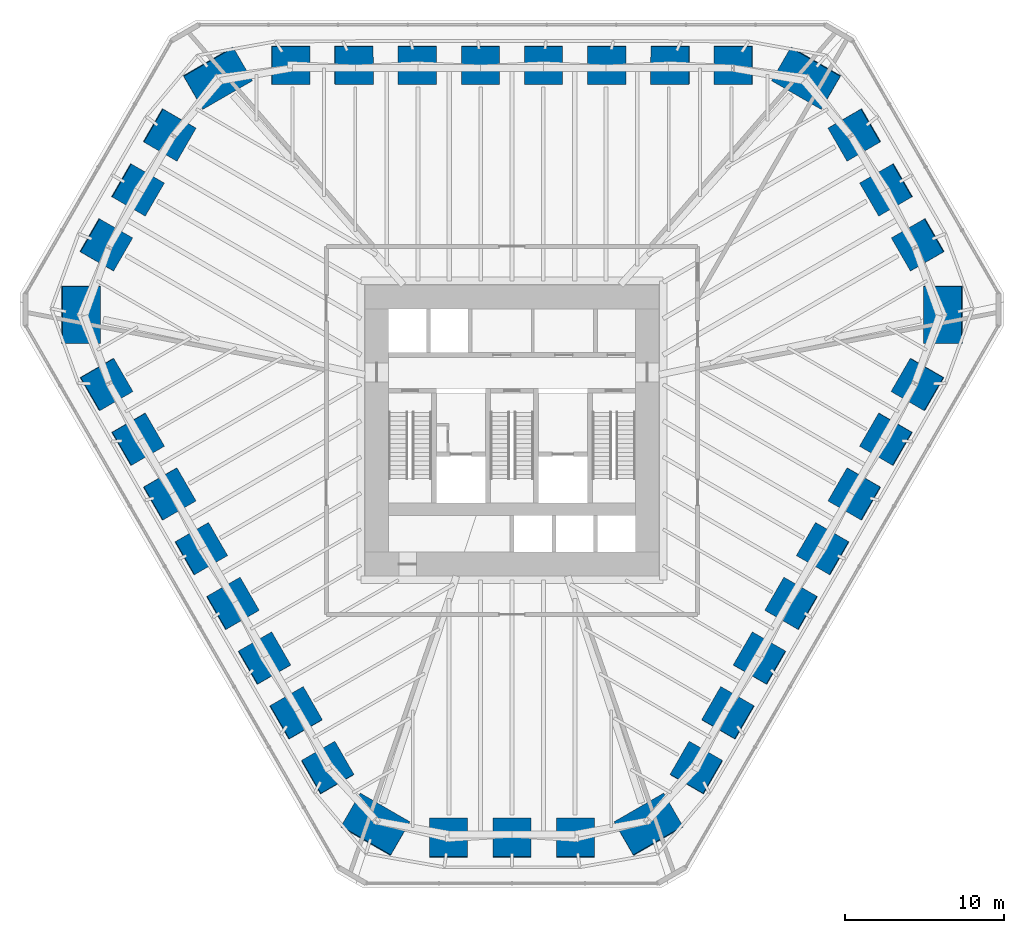
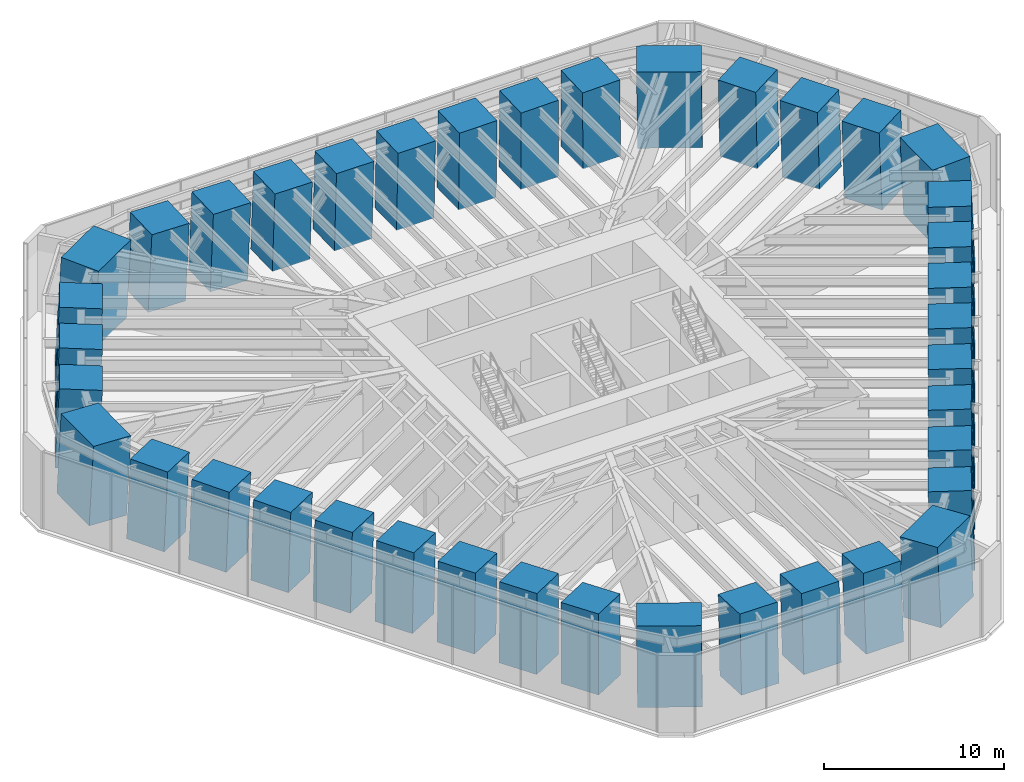
# One storey, part 1 of 13: 39 columns.
"""IFC4 building model written with IfcOpenShell, lengths in metres."""

from ifc_helpers import new_model, si_unit, direction, frame, origin, origin_2d, place, context, subcontext, project, spatial, rectangle, extrude, material, material_profile, profile_set, type_object, element, save


model = new_model("IFC4")

# Units and contexts
model_context = context("Model", 3, precision=1e-05, world=origin(), true_north=direction((0.0, 1.0)))
body_context = subcontext(model_context, "Body", "Model", "MODEL_VIEW")
ifc_project = project(units=[si_unit("LENGTHUNIT", "METRE"), si_unit("AREAUNIT", "SQUARE_METRE"), si_unit("VOLUMEUNIT", "CUBIC_METRE"), si_unit("PLANEANGLEUNIT", "RADIAN"), si_unit("MASSUNIT", "GRAM", prefix="KILO")], contexts=[model_context])

# Site, building, storey
site_placement = place(None, origin())
site = spatial("IfcSite", under=ifc_project, at=site_placement, CompositionType="ELEMENT")
building_placement = place(site_placement, origin())
building = spatial("IfcBuilding", under=site, at=building_placement, Name="Sandreach Pilgrim Tower", CompositionType="ELEMENT")
storey_placement = place(building_placement, frame((0.0, 0.0, 91.39990234375)))
storey = spatial("IfcBuildingStorey", under=building, at=storey_placement, Name="L22", CompositionType="ELEMENT", Elevation=91.39990234375)

# Columns
ifc_material_1 = material(Name="Concrete 10000 psi", Category="concrete")
ifc_material_profile_1 = material_profile(ifc_material_1, rectangle(XDim=2.39990234375, YDim=2.39990234375, at=origin_2d()), Name="RC2400X2400")
ifc_profile_set_1 = profile_set([ifc_material_profile_1], Name="Concrete 10000 psi")
column_type_1 = type_object("IfcColumnType", Name="Raked tube column RC2400X2400", PredefinedType="COLUMN", material=ifc_profile_set_1)
column_1_placement = place(storey_placement, frame((-13.9169921875, 21.429443359375, 0.0), z_axis=(0.023853224026, -0.036672615058, 0.999042613209), x_axis=(0.000167266676, 0.999327082748, 0.036679063624)))
element("IfcColumn", 1, at=column_1_placement, inside=storey, type_object=column_type_1, Name="COL L22 T01", PredefinedType="COLUMN", context=body_context, shape_type="SweptSolid", body=[
    extrude(rectangle(XDim=2.39990234375, YDim=2.39990234375, at=origin_2d()), origin(), (0.0, 0.0, 1.0), 5.33251953125),
])
column_2_placement = place(storey_placement, frame((-9.94091796875, 21.429931640625, 0.0), z_axis=(0.017053044126, -0.036712049419, 0.999180373663), x_axis=(0.000107778758, 0.999325751027, 0.036715551434)))
element("IfcColumn", 2, at=column_2_placement, inside=storey, type_object=column_type_1, Name="COL L22 T02", PredefinedType="COLUMN", context=body_context, shape_type="SweptSolid", body=[
    extrude(rectangle(XDim=2.39990234375, YDim=2.39990234375, at=origin_2d()), origin(), (0.0, 0.0, 1.0), 5.340087890625),
])
column_3_placement = place(storey_placement, frame((-5.964599609375, 21.43017578125, 0.0), z_axis=(0.010226486141, -0.036705780613, 0.999273788634), x_axis=(0.00011558331, 0.999326081983, 0.036706518606)))
element("IfcColumn", 3, at=column_3_placement, inside=storey, type_object=column_type_1, Name="COL L22 T03", PredefinedType="COLUMN", context=body_context, shape_type="SweptSolid", body=[
    extrude(rectangle(XDim=2.39990234375, YDim=2.39990234375, at=origin_2d()), origin(), (0.0, 0.0, 1.0), 5.34765625),
])
for number, where, z_axis, x_axis, name in (
    (4, (-1.98828125, 21.430419921875, 0.0), (0.003418896386, -0.036696154541, 0.999320620917), (-0.000263373723, 0.99932639372, 0.036697267584), "COL L22 T04"),
    (5, (1.98828125, 21.430419921875, 0.0), (-0.003418896386, -0.036696154541, 0.999320620917), (0.000263373723, 0.99932639372, 0.036697267584), "COL L22 T05"),
):
    element("IfcColumn", number, at=place(storey_placement, frame(where, z_axis=z_axis, x_axis=x_axis)), inside=storey, type_object=column_type_1, Name=name, PredefinedType="COLUMN", context=body_context, shape_type="SweptSolid", body=[
        extrude(rectangle(XDim=2.39990234375, YDim=2.39990234375, at=origin_2d()), origin(), (0.0, 0.0, 1.0), 5.355712890625),
    ])
column_4_placement = place(storey_placement, frame((5.964599609375, 21.43017578125, 0.0), z_axis=(-0.010226486141, -0.036705780613, 0.999273788634), x_axis=(-0.00011558331, 0.999326081983, 0.036706518606)))
element("IfcColumn", 6, at=column_4_placement, inside=storey, type_object=column_type_1, Name="COL L22 T06", PredefinedType="COLUMN", context=body_context, shape_type="SweptSolid", body=[
    extrude(rectangle(XDim=2.39990234375, YDim=2.39990234375, at=origin_2d()), origin(), (0.0, 0.0, 1.0), 5.34765625),
])
column_5_placement = place(storey_placement, frame((9.94091796875, 21.429931640625, 0.0), z_axis=(-0.017053044126, -0.036712049419, 0.999180373663), x_axis=(-0.000107778758, 0.999325751027, 0.036715551434)))
element("IfcColumn", 7, at=column_5_placement, inside=storey, type_object=column_type_1, Name="COL L22 T07", PredefinedType="COLUMN", context=body_context, shape_type="SweptSolid", body=[
    extrude(rectangle(XDim=2.39990234375, YDim=2.39990234375, at=origin_2d()), origin(), (0.0, 0.0, 1.0), 5.340087890625),
])
column_6_placement = place(storey_placement, frame((13.9169921875, 21.429443359375, 0.0), z_axis=(-0.023853224026, -0.036672615058, 0.999042613209), x_axis=(-0.000167266676, 0.999327082748, 0.036679063624)))
element("IfcColumn", 8, at=column_6_placement, inside=storey, type_object=column_type_1, Name="COL L22 T08", PredefinedType="COLUMN", context=body_context, shape_type="SweptSolid", body=[
    extrude(rectangle(XDim=2.39990234375, YDim=2.39990234375, at=origin_2d()), origin(), (0.0, 0.0, 1.0), 5.33251953125),
])
column_7_placement = place(storey_placement, frame((21.54052734375, 17.045166015625, 0.0), z_axis=(-0.036328704694, -0.028788784852, 0.998925137877), x_axis=(0.864915731471, 0.499817631807, 0.045859703319)))
element("IfcColumn", 9, at=column_7_placement, inside=storey, type_object=column_type_1, Name="COL L22 T10", PredefinedType="COLUMN", context=body_context, shape_type="SweptSolid", body=[
    extrude(rectangle(XDim=2.39990234375, YDim=2.39990234375, at=origin_2d()), origin(), (0.0, 0.0, 1.0), 5.3427734375),
])
column_8_placement = place(storey_placement, frame((23.53662109375, 13.5888671875, 0.0), z_axis=(-0.039742486504, -0.022951171885, 0.998946334132), x_axis=(0.86505788595, 0.499568446192, 0.045893589143)))
element("IfcColumn", 10, at=column_8_placement, inside=storey, type_object=column_type_1, Name="COL L22 T11", PredefinedType="COLUMN", context=body_context, shape_type="SweptSolid", body=[
    extrude(rectangle(XDim=2.39990234375, YDim=2.39990234375, at=origin_2d()), origin(), (0.0, 0.0, 1.0), 5.3505859375),
])
column_9_placement = place(storey_placement, frame((25.531982421875, 10.132080078125, 0.0), z_axis=(-0.043137386798, -0.017090447735, 0.998922961222), x_axis=(0.865241244978, 0.499249655961, 0.045906089048)))
element("IfcColumn", 11, at=column_9_placement, inside=storey, type_object=column_type_1, Name="COL L22 T12", PredefinedType="COLUMN", context=body_context, shape_type="SweptSolid", body=[
    extrude(rectangle(XDim=2.39990234375, YDim=2.39990234375, at=origin_2d()), origin(), (0.0, 0.0, 1.0), 5.3427734375),
])
column_10_placement = place(storey_placement, frame((25.51708984375, 1.337646484375, 0.0), z_axis=(-0.043723212167, -0.002289173412, 0.999041060419), x_axis=(0.864969947422, -0.500479225702, 0.036708782297)))
element("IfcColumn", 12, at=column_10_placement, inside=storey, type_object=column_type_1, Name="COL L22 T14", PredefinedType="COLUMN", context=body_context, shape_type="SweptSolid", body=[
    extrude(rectangle(XDim=2.39990234375, YDim=2.39990234375, at=origin_2d()), origin(), (0.0, 0.0, 1.0), 5.33251953125),
])
column_11_placement = place(storey_placement, frame((23.529296875, -2.10595703125, 0.0), z_axis=(-0.040323810593, 0.003611769883, 0.999180136621), x_axis=(0.865094803466, -0.500262490697, 0.036720858084)))
element("IfcColumn", 13, at=column_11_placement, inside=storey, type_object=column_type_1, Name="COL L22 T15", PredefinedType="COLUMN", context=body_context, shape_type="SweptSolid", body=[
    extrude(rectangle(XDim=2.39990234375, YDim=2.39990234375, at=origin_2d()), origin(), (0.0, 0.0, 1.0), 5.340087890625),
])
column_12_placement = place(storey_placement, frame((21.541259765625, -5.549560546875, 0.0), z_axis=(-0.036888414275, 0.009496027437, 0.999274271837), x_axis=(0.865347950701, -0.49982642176, 0.036694309206)))
element("IfcColumn", 14, at=column_12_placement, inside=storey, type_object=column_type_1, Name="COL L22 T16", PredefinedType="COLUMN", context=body_context, shape_type="SweptSolid", body=[
    extrude(rectangle(XDim=2.39990234375, YDim=2.39990234375, at=origin_2d()), origin(), (0.0, 0.0, 1.0), 5.34765625),
])
for number, where, z_axis, x_axis, name in (
    (15, (19.553466796875, -8.993408203125, 0.0), (-0.033505156069, 0.015407813267, 0.999319770547), (0.865409504086, -0.499717936171, 0.03672021932), "COL L22 T17"),
    (16, (17.565185546875, -12.43701171875, 0.0), (-0.030086286976, 0.021288327299, 0.999320580423), (0.865663036533, -0.499280219407, 0.036698360851), "COL L22 T18"),
):
    element("IfcColumn", number, at=place(storey_placement, frame(where, z_axis=z_axis, x_axis=x_axis)), inside=storey, type_object=column_type_1, Name=name, PredefinedType="COLUMN", context=body_context, shape_type="SweptSolid", body=[
        extrude(rectangle(XDim=2.39990234375, YDim=2.39990234375, at=origin_2d()), origin(), (0.0, 0.0, 1.0), 5.355712890625),
    ])
column_13_placement = place(storey_placement, frame((15.57666015625, -15.880615234375, 0.0), z_axis=(-0.026661919188, 0.027209766842, 0.999274121877), x_axis=(0.865373846095, -0.499781308215, 0.036698098767)))
element("IfcColumn", 17, at=column_13_placement, inside=storey, type_object=column_type_1, Name="COL L22 T19", PredefinedType="COLUMN", context=body_context, shape_type="SweptSolid", body=[
    extrude(rectangle(XDim=2.39990234375, YDim=2.39990234375, at=origin_2d()), origin(), (0.0, 0.0, 1.0), 5.34765625),
])
column_14_placement = place(storey_placement, frame((13.58837890625, -19.323974609375, 0.0), z_axis=(-0.023270792595, 0.033100302237, 0.999181084791), x_axis=(0.865704504783, -0.499208220874, 0.036699626852)))
element("IfcColumn", 18, at=column_14_placement, inside=storey, type_object=column_type_1, Name="COL L22 T20", PredefinedType="COLUMN", context=body_context, shape_type="SweptSolid", body=[
    extrude(rectangle(XDim=2.39990234375, YDim=2.39990234375, at=origin_2d()), origin(), (0.0, 0.0, 1.0), 5.340087890625),
])
column_15_placement = place(storey_placement, frame((11.60009765625, -22.76708984375, 0.0), z_axis=(-0.019870066199, 0.038961811833, 0.999043121035), x_axis=(0.866070938597, -0.49857445671, 0.036669339169)))
element("IfcColumn", 19, at=column_15_placement, inside=storey, type_object=column_type_1, Name="COL L22 T21", PredefinedType="COLUMN", context=body_context, shape_type="SweptSolid", body=[
    extrude(rectangle(XDim=2.39990234375, YDim=2.39990234375, at=origin_2d()), origin(), (0.0, 0.0, 1.0), 5.33251953125),
])
column_16_placement = place(storey_placement, frame((3.9912109375, -27.17724609375, 0.0), z_axis=(-0.006717378223, 0.045879236296, 0.998924407804), x_axis=(-0.000743903255, -0.99894689874, 0.045875266814)))
element("IfcColumn", 20, at=column_16_placement, inside=storey, type_object=column_type_1, Name="COL L22 T23", PredefinedType="COLUMN", context=body_context, shape_type="SweptSolid", body=[
    extrude(rectangle(XDim=2.39990234375, YDim=2.39990234375, at=origin_2d()), origin(), (0.0, 0.0, 1.0), 5.3427734375),
])
column_17_placement = place(storey_placement, frame((0.0, -27.177734375, 0.0), z_axis=(0.0, 0.045902325325, 0.998945932736), x_axis=(0.0, -0.998945932736, 0.045902325325)))
element("IfcColumn", 21, at=column_17_placement, inside=storey, type_object=column_type_1, Name="COL L22 T24", PredefinedType="COLUMN", context=body_context, shape_type="SweptSolid", body=[
    extrude(rectangle(XDim=2.39990234375, YDim=2.39990234375, at=origin_2d()), origin(), (0.0, 0.0, 1.0), 5.3505859375),
])
column_18_placement = place(storey_placement, frame((-3.9912109375, -27.17724609375, 0.0), z_axis=(0.006717378223, 0.045879236296, 0.998924407804), x_axis=(0.000743903255, -0.99894689874, 0.045875266814)))
element("IfcColumn", 22, at=column_18_placement, inside=storey, type_object=column_type_1, Name="COL L22 T25", PredefinedType="COLUMN", context=body_context, shape_type="SweptSolid", body=[
    extrude(rectangle(XDim=2.39990234375, YDim=2.39990234375, at=origin_2d()), origin(), (0.0, 0.0, 1.0), 5.3427734375),
])
column_19_placement = place(storey_placement, frame((-11.60009765625, -22.76708984375, 0.0), z_axis=(0.019870066199, 0.038961811833, 0.999043121035), x_axis=(-0.866070938597, -0.49857445671, 0.036669339169)))
element("IfcColumn", 23, at=column_19_placement, inside=storey, type_object=column_type_1, Name="COL L22 T27", PredefinedType="COLUMN", context=body_context, shape_type="SweptSolid", body=[
    extrude(rectangle(XDim=2.39990234375, YDim=2.39990234375, at=origin_2d()), origin(), (0.0, 0.0, 1.0), 5.33251953125),
])
column_20_placement = place(storey_placement, frame((-13.58837890625, -19.323974609375, 0.0), z_axis=(0.023270792595, 0.033100302237, 0.999181084791), x_axis=(-0.865704504783, -0.499208220874, 0.036699626852)))
element("IfcColumn", 24, at=column_20_placement, inside=storey, type_object=column_type_1, Name="COL L22 T28", PredefinedType="COLUMN", context=body_context, shape_type="SweptSolid", body=[
    extrude(rectangle(XDim=2.39990234375, YDim=2.39990234375, at=origin_2d()), origin(), (0.0, 0.0, 1.0), 5.340087890625),
])
column_21_placement = place(storey_placement, frame((-15.57666015625, -15.880615234375, 0.0), z_axis=(0.026661919188, 0.027209766842, 0.999274121877), x_axis=(-0.865373846095, -0.499781308215, 0.036698098767)))
element("IfcColumn", 25, at=column_21_placement, inside=storey, type_object=column_type_1, Name="COL L22 T29", PredefinedType="COLUMN", context=body_context, shape_type="SweptSolid", body=[
    extrude(rectangle(XDim=2.39990234375, YDim=2.39990234375, at=origin_2d()), origin(), (0.0, 0.0, 1.0), 5.34765625),
])
for number, where, z_axis, x_axis, name in (
    (26, (-17.565185546875, -12.43701171875, 0.0), (0.030086286976, 0.021288327299, 0.999320580423), (-0.865663036533, -0.499280219407, 0.036698360851), "COL L22 T30"),
    (27, (-19.553466796875, -8.993408203125, 0.0), (0.033505156069, 0.015407813267, 0.999319770547), (-0.865409504086, -0.499717936171, 0.03672021932), "COL L22 T31"),
):
    element("IfcColumn", number, at=place(storey_placement, frame(where, z_axis=z_axis, x_axis=x_axis)), inside=storey, type_object=column_type_1, Name=name, PredefinedType="COLUMN", context=body_context, shape_type="SweptSolid", body=[
        extrude(rectangle(XDim=2.39990234375, YDim=2.39990234375, at=origin_2d()), origin(), (0.0, 0.0, 1.0), 5.355712890625),
    ])
column_22_placement = place(storey_placement, frame((-21.541259765625, -5.549560546875, 0.0), z_axis=(0.036888414275, 0.009496027437, 0.999274271837), x_axis=(-0.865347950701, -0.49982642176, 0.036694309206)))
element("IfcColumn", 28, at=column_22_placement, inside=storey, type_object=column_type_1, Name="COL L22 T32", PredefinedType="COLUMN", context=body_context, shape_type="SweptSolid", body=[
    extrude(rectangle(XDim=2.39990234375, YDim=2.39990234375, at=origin_2d()), origin(), (0.0, 0.0, 1.0), 5.34765625),
])
column_23_placement = place(storey_placement, frame((-23.529296875, -2.10595703125, 0.0), z_axis=(0.040323810593, 0.003611769883, 0.999180136621), x_axis=(-0.865094803466, -0.500262490697, 0.036720858084)))
element("IfcColumn", 29, at=column_23_placement, inside=storey, type_object=column_type_1, Name="COL L22 T33", PredefinedType="COLUMN", context=body_context, shape_type="SweptSolid", body=[
    extrude(rectangle(XDim=2.39990234375, YDim=2.39990234375, at=origin_2d()), origin(), (0.0, 0.0, 1.0), 5.340087890625),
])
column_24_placement = place(storey_placement, frame((-25.51708984375, 1.337646484375, 0.0), z_axis=(0.043723212167, -0.002289173412, 0.999041060419), x_axis=(-0.864969947422, -0.500479225702, 0.036708782297)))
element("IfcColumn", 30, at=column_24_placement, inside=storey, type_object=column_type_1, Name="COL L22 T34", PredefinedType="COLUMN", context=body_context, shape_type="SweptSolid", body=[
    extrude(rectangle(XDim=2.39990234375, YDim=2.39990234375, at=origin_2d()), origin(), (0.0, 0.0, 1.0), 5.33251953125),
])
column_25_placement = place(storey_placement, frame((-25.531982421875, 10.132080078125, 0.0), z_axis=(0.043137386798, -0.017090447735, 0.998922961222), x_axis=(-0.865241244978, 0.499249655961, 0.045906089048)))
element("IfcColumn", 31, at=column_25_placement, inside=storey, type_object=column_type_1, Name="COL L22 T36", PredefinedType="COLUMN", context=body_context, shape_type="SweptSolid", body=[
    extrude(rectangle(XDim=2.39990234375, YDim=2.39990234375, at=origin_2d()), origin(), (0.0, 0.0, 1.0), 5.3427734375),
])
column_26_placement = place(storey_placement, frame((-23.53662109375, 13.5888671875, 0.0), z_axis=(0.039742486504, -0.022951171885, 0.998946334132), x_axis=(-0.86505788595, 0.499568446192, 0.045893589143)))
element("IfcColumn", 32, at=column_26_placement, inside=storey, type_object=column_type_1, Name="COL L22 T37", PredefinedType="COLUMN", context=body_context, shape_type="SweptSolid", body=[
    extrude(rectangle(XDim=2.39990234375, YDim=2.39990234375, at=origin_2d()), origin(), (0.0, 0.0, 1.0), 5.3505859375),
])
column_27_placement = place(storey_placement, frame((-21.54052734375, 17.045166015625, 0.0), z_axis=(0.036328704694, -0.028788784852, 0.998925137877), x_axis=(-0.864915731471, 0.499817631807, 0.045859703319)))
element("IfcColumn", 33, at=column_27_placement, inside=storey, type_object=column_type_1, Name="COL L22 T38", PredefinedType="COLUMN", context=body_context, shape_type="SweptSolid", body=[
    extrude(rectangle(XDim=2.39990234375, YDim=2.39990234375, at=origin_2d()), origin(), (0.0, 0.0, 1.0), 5.3427734375),
])
ifc_material_2 = material(Name="Concrete 10000 psi", Category="concrete")
ifc_material_profile_2 = material_profile(ifc_material_2, rectangle(XDim=2.39990234375, YDim=3.60009765625, at=origin_2d()), Name="RC2400X3600")
ifc_profile_set_2 = profile_set([ifc_material_profile_2], Name="Concrete 10000 psi")
column_type_2 = type_object("IfcColumnType", Name="Raked tube corner pier RC2400X3600", PredefinedType="COLUMN", material=ifc_profile_set_2)
for number, where, z_axis, x_axis, name in (
    (34, (18.509765625, 20.613525390625, 0.0), (-0.031958260151, -0.035575312517, 0.998855878867), (0.499237083594, 0.865201253746, 0.046788084823), "COL L22 T09"),
    (35, (27.10693359375, 5.72314453125, 0.0), (-0.046838428315, -0.009889638823, 0.998853521132), (0.99890247848, -0.000452744235, 0.046836241416), "COL L22 T13"),
    (36, (8.596923828125, -26.336669921875, 0.0), (-0.01483449182, 0.0454649703, 0.998855782547), (0.499741385567, -0.864909959753, 0.046790053124), "COL L22 T22"),
    (37, (-8.596923828125, -26.336669921875, 0.0), (0.01483449182, 0.0454649703, 0.998855782547), (-0.499741385567, -0.864909959753, 0.046790053124), "COL L22 T26"),
    (38, (-27.10693359375, 5.72314453125, 0.0), (0.046838428315, -0.009889638823, 0.998853521132), (-0.99890247848, -0.000452744235, 0.046836241416), "COL L22 T35"),
    (39, (-18.509765625, 20.613525390625, 0.0), (0.031958260151, -0.035575312517, 0.998855878867), (-0.499237083594, 0.865201253746, 0.046788084823), "COL L22 T39"),
):
    element("IfcColumn", number, at=place(storey_placement, frame(where, z_axis=z_axis, x_axis=x_axis)), inside=storey, type_object=column_type_2, Name=name, PredefinedType="COLUMN", context=body_context, shape_type="SweptSolid", body=[
        extrude(rectangle(XDim=2.39990234375, YDim=3.60009765625, at=origin_2d()), origin(), (0.0, 0.0, 1.0), 5.332275390625),
    ])

save(model, "model.ifc")
